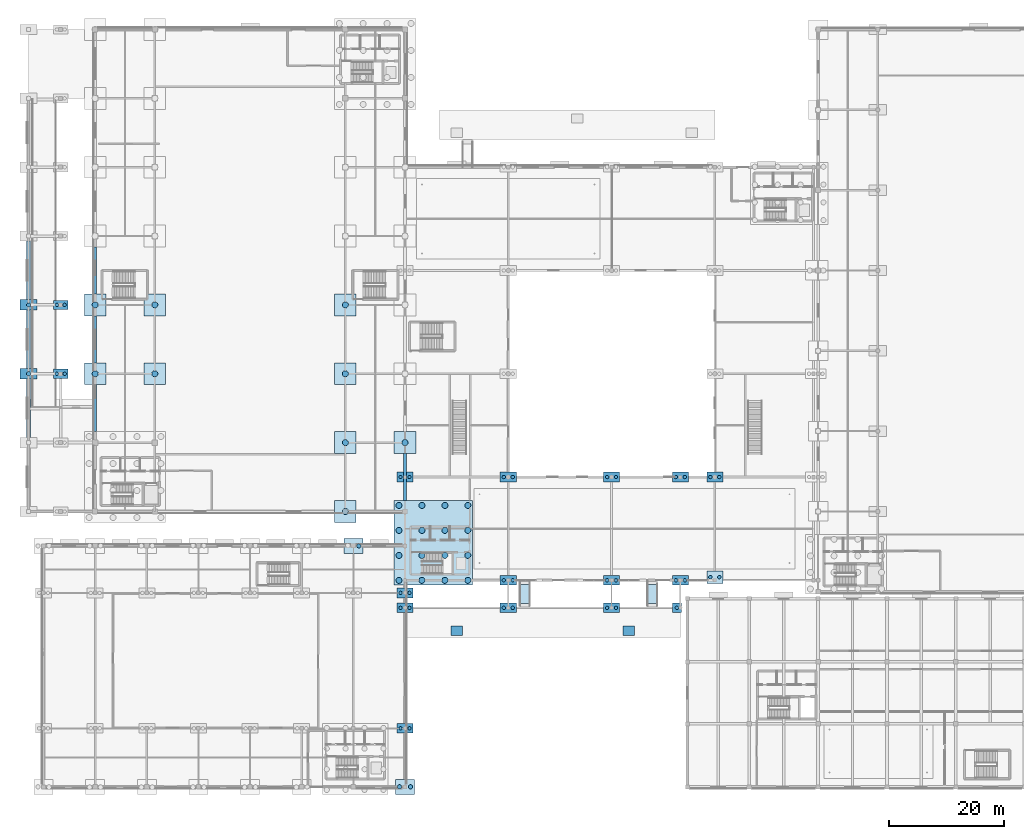
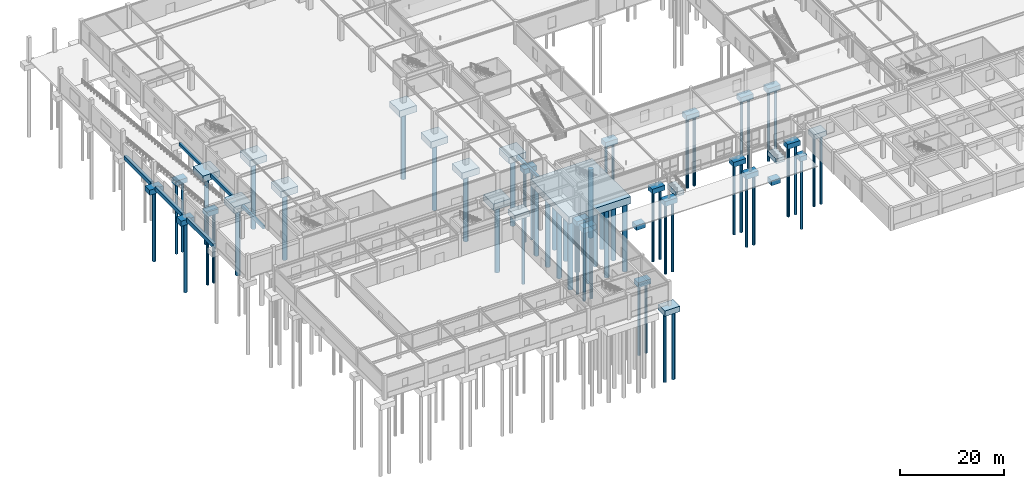
# One storey, part 2 of 53: 63 piles, 42 footings.
"""IFC4 building model written with IfcOpenShell, lengths in metres."""

import ifcopenshell
import ifcopenshell.guid

model = None  # the IFC model being written
_history = None  # IfcOwnerHistory: only IFC2X3 demands one
_inside = {}  # id of a spatial element -> (the spatial element, [elements in it])
_under = {}  # id of a project, library or spatial element -> (it, [spatial elements below it])
_declared = {}  # id of a project -> (the project, [libraries it declares])
_typed = {}  # id of a type object -> (the type object, [elements of that type])
_made_of = {}  # id of a material, layer set ... -> (it, [elements and type objects made of it])


def new_model(schema):
    """Start an empty IFC model of exactly this schema.

    Asked for "IFC4X3", IfcOpenShell would pick the latest addendum, in which some entities
    have other attributes; the version numbers below select the first issue.
    IFC2X3 requires an IfcOwnerHistory on every rooted entity: one is made here for all.
    """
    global model, _history
    if schema == "IFC4X3":
        model = ifcopenshell.file(schema_version=(4, 3, 0, 0))
    else:
        model = ifcopenshell.file(schema=schema)
    _inside.clear()
    _under.clear()
    _declared.clear()
    _typed.clear()
    _made_of.clear()
    _history = None
    if model.schema == "IFC2X3":
        org = make("IfcOrganization", Name="unknown")
        user = make(
            "IfcPersonAndOrganization",
            ThePerson=make("IfcPerson", FamilyName="unknown"),
            TheOrganization=org,
        )
        app = make(
            "IfcApplication",
            ApplicationDeveloper=org,
            Version="unknown",
            ApplicationFullName="unknown",
            ApplicationIdentifier="unknown",
        )
        _history = make(
            "IfcOwnerHistory",
            OwningUser=user,
            OwningApplication=app,
            ChangeAction="ADDED",
            CreationDate=0,
        )
    return model


def make(cls, **values):
    """One entity of the class cls with the attributes given. An attribute that is None is left unset."""
    return model.create_entity(
        cls, **{name: value for name, value in values.items() if value is not None}
    )


def rooted(cls, **values):
    """An entity with a GlobalId (a new one), such as an element, a storey or a relation."""
    return make(cls, GlobalId=ifcopenshell.guid.new(), OwnerHistory=_history, **values)


def si_unit(unit_type, name, prefix=None):
    """IfcSIUnit, for example si_unit("LENGTHUNIT", "METRE", prefix="MILLI")."""
    return make("IfcSIUnit", UnitType=unit_type, Prefix=prefix, Name=name)


def derived_unit(unit_type, elements):
    """IfcDerivedUnit: a product of units, each with its exponent."""
    return make(
        "IfcDerivedUnit",
        Elements=[
            make("IfcDerivedUnitElement", Unit=unit, Exponent=power)
            for unit, power in elements
        ],
        UnitType=unit_type,
    )


def assignment(units):
    """IfcUnitAssignment: the units of a project."""
    return None if units is None else make("IfcUnitAssignment", Units=units)


def point(xyz):
    """IfcCartesianPoint."""
    return None if xyz is None else make("IfcCartesianPoint", Coordinates=xyz)


def direction(xyz):
    """IfcDirection."""
    return None if xyz is None else make("IfcDirection", DirectionRatios=xyz)


def frame(location, z_axis=None, x_axis=None):
    """IfcAxis2Placement3D, a coordinate frame: its origin and axes. An axis left out is left unset."""
    return make(
        "IfcAxis2Placement3D",
        Location=point(location),
        Axis=direction(z_axis),
        RefDirection=direction(x_axis),
    )


def frame_2d(location, x_axis=None):
    """IfcAxis2Placement2D, a coordinate frame in the plane: its origin and x axis."""
    return make(
        "IfcAxis2Placement2D", Location=point(location), RefDirection=direction(x_axis)
    )


def origin():
    """The frame at (0, 0, 0) with its axes left unset."""
    return frame((0.0, 0.0, 0.0))


def origin_2d():
    """The frame at (0, 0) in the plane with its x axis left unset."""
    return frame_2d((0.0, 0.0))


def place(relative_to, where):
    """IfcLocalPlacement: puts the frame where relative to a parent placement (None: the world)."""
    return make(
        "IfcLocalPlacement", PlacementRelTo=relative_to, RelativePlacement=where
    )


def context(
    kind, dimensions, precision=None, world=None, true_north=None, identifier=None
):
    """IfcGeometricRepresentationContext, for example the 3D "Model" context."""
    return make(
        "IfcGeometricRepresentationContext",
        ContextIdentifier=identifier,
        ContextType=kind,
        CoordinateSpaceDimension=dimensions,
        Precision=precision,
        WorldCoordinateSystem=world,
        TrueNorth=true_north,
    )


def subcontext(parent, identifier, kind, view, scale=None):
    """IfcGeometricRepresentationSubContext, for example "Body" below "Model"."""
    return make(
        "IfcGeometricRepresentationSubContext",
        ContextIdentifier=identifier,
        ContextType=kind,
        ParentContext=parent,
        TargetScale=scale,
        TargetView=view,
    )


def project(units=None, contexts=None):
    """IfcProject with its units and contexts."""
    return rooted(
        "IfcProject",
        Name="project",
        RepresentationContexts=contexts,
        UnitsInContext=assignment(units),
    )


def spatial(cls, under=None, at=None, **own):
    """A site, building, storey or space (cls), placed at a placement, below another one or the project."""
    s = rooted(cls, ObjectPlacement=at, **own)
    if under is not None:
        _under.setdefault(under.id(), (under, []))[1].append(s)
    return s


def polyline(points):
    """IfcPolyline through the points."""
    return make("IfcPolyline", Points=[point(p) for p in points])


def profile(cls, at=None, kind="AREA", **sizes):
    """A parametric profile (cls). Its sizes go by their IFC names, for example OverallWidth=200.0."""
    return make(cls, ProfileType=kind, Position=at, **sizes)


def rectangle(**sizes):
    """IfcRectangleProfileDef."""
    return profile("IfcRectangleProfileDef", **sizes)


def circle(**sizes):
    """IfcCircleProfileDef."""
    return profile("IfcCircleProfileDef", **sizes)


def outline(outer, holes=None, kind="AREA"):
    """IfcArbitraryClosedProfileDef: a profile drawn as a closed curve; with holes, ...WithVoids."""
    if holes is None:
        return make("IfcArbitraryClosedProfileDef", ProfileType=kind, OuterCurve=outer)
    return make(
        "IfcArbitraryProfileDefWithVoids",
        ProfileType=kind,
        OuterCurve=outer,
        InnerCurves=holes,
    )


def extrude(swept, where, along, depth):
    """IfcExtrudedAreaSolid: the profile swept, set in the frame where, extruded along a direction by depth."""
    return make(
        "IfcExtrudedAreaSolid",
        SweptArea=swept,
        Position=where,
        ExtrudedDirection=direction(along),
        Depth=depth,
    )


def shape(context_of_items, identifier, shape_type, items):
    """IfcShapeRepresentation: the items that make up one representation, for example the "Body"."""
    return make(
        "IfcShapeRepresentation",
        ContextOfItems=context_of_items,
        RepresentationIdentifier=identifier,
        RepresentationType=shape_type,
        Items=items,
    )


def material(Name=None, Category=None):
    """IfcMaterial."""
    return make("IfcMaterial", Name=Name, Category=Category)


def layer(
    of_material, thickness, ventilated=None, Name=None, Category=None, Priority=None
):
    """IfcMaterialLayer: one layer of a wall or slab, of a material (None: an air gap)."""
    return make(
        "IfcMaterialLayer",
        Material=of_material,
        LayerThickness=thickness,
        IsVentilated=ventilated,
        Name=Name,
        Category=Category,
        Priority=Priority,
    )


def layer_set(layers, Name=None):
    """IfcMaterialLayerSet."""
    return make("IfcMaterialLayerSet", MaterialLayers=layers, LayerSetName=Name)


def material_profile(
    of_material, cross_section, Name=None, Category=None, Priority=None
):
    """IfcMaterialProfile: a cross section and its material."""
    return make(
        "IfcMaterialProfile",
        Name=Name,
        Material=of_material,
        Profile=cross_section,
        Priority=Priority,
        Category=Category,
    )


def profile_set(profiles, Name=None, composite=None):
    """IfcMaterialProfileSet."""
    return make(
        "IfcMaterialProfileSet",
        Name=Name,
        MaterialProfiles=profiles,
        CompositeProfile=composite,
    )


def made_of(thing, what):
    """Note that an element or type object is made of a material, layer set ...; save() writes the relation."""
    if what is not None:
        _made_of.setdefault(what.id(), (what, []))[1].append(thing)
    return thing


def type_object(cls, material=None, **own):
    """A type object (cls), such as IfcWallType, which elements share."""
    return made_of(rooted(cls, **own), material)


def element(
    cls,
    number,
    at=None,
    inside=None,
    cuts=None,
    type_object=None,
    material=None,
    context=None,
    identifier="Body",
    shape_type=None,
    held_by="IfcProductDefinitionShape",
    body=None,
    shapes=None,
    **own,
):
    """One element of the class cls, such as IfcWall. Its Tag is "e" and its number.

    at: its placement. inside: the storey or other place that contains it. cuts: it is an
    opening in that element (IfcRelVoidsElement). A single representation is given by context,
    identifier, shape_type and body (its items); several are given by shapes. held_by: the class
    of the entity that holds the representations. save() writes the other relations.
    """
    e = rooted(cls, Tag="e%d" % number, ObjectPlacement=at, **own)
    if body is not None:
        shapes = [shape(context, identifier, shape_type, body)]
    if shapes is not None:
        e.Representation = make(held_by, Representations=shapes)
    if inside is not None:
        _inside.setdefault(inside.id(), (inside, []))[1].append(e)
    if cuts is not None:
        rooted(
            "IfcRelVoidsElement", RelatingBuildingElement=cuts, RelatedOpeningElement=e
        )
    if type_object is not None:
        _typed.setdefault(type_object.id(), (type_object, []))[1].append(e)
    return made_of(e, material)


def aggregate(whole, parts):
    """IfcRelAggregates: a whole, such as a stair, and the parts it consists of."""
    return rooted("IfcRelAggregates", RelatingObject=whole, RelatedObjects=parts)


def save(model, path):
    """Write the relations noted so far, then the file.

    IfcRelAggregates (storeys below a building ...), IfcRelContainedInSpatialStructure (elements
    in a storey), IfcRelDefinesByType, IfcRelAssociatesMaterial and IfcRelDeclares: one each for
    every whole, place, type object, material and project.
    """
    for whole, parts in _under.values():
        aggregate(whole, parts)
    for where, things in _inside.values():
        rooted(
            "IfcRelContainedInSpatialStructure",
            RelatedElements=things,
            RelatingStructure=where,
        )
    for kind, things in _typed.values():
        rooted("IfcRelDefinesByType", RelatedObjects=things, RelatingType=kind)
    for what, things in _made_of.values():
        rooted("IfcRelAssociatesMaterial", RelatedObjects=things, RelatingMaterial=what)
    for by, libraries in _declared.values():
        rooted("IfcRelDeclares", RelatingContext=by, RelatedDefinitions=libraries)
    model.write(path)


model = new_model("IFC4")

# Units and contexts
model_context = context("Model", 3, precision=1e-05, world=origin(), true_north=direction((0.0, 1.0)))
body_context = subcontext(model_context, "Body", "Model", "MODEL_VIEW")
ifc_project = project(units=[si_unit("LENGTHUNIT", "METRE"), si_unit("AREAUNIT", "SQUARE_METRE"), si_unit("VOLUMEUNIT", "CUBIC_METRE"), si_unit("PLANEANGLEUNIT", "RADIAN"), si_unit("MASSUNIT", "GRAM", prefix="KILO"), derived_unit("THERMALTRANSMITTANCEUNIT", [(si_unit("POWERUNIT", "WATT"), 1), (si_unit("LENGTHUNIT", "METRE"), -2), (si_unit("THERMODYNAMICTEMPERATUREUNIT", "KELVIN"), -1)])], contexts=[model_context])

# Site, building, storey
site_placement = place(None, origin())
site = spatial("IfcSite", under=ifc_project, at=site_placement, CompositionType="ELEMENT")
building_placement = place(site_placement, origin())
building = spatial("IfcBuilding", under=site, at=building_placement, Name="Almenara Railside Exhibition Hall", CompositionType="ELEMENT")
storey_placement = place(building_placement, origin())
storey = spatial("IfcBuildingStorey", under=building, at=storey_placement, Name="L00", CompositionType="ELEMENT", Elevation=0.0)

# Footings
ifc_material_1 = material(Name="Concrete C40/50", Category="concrete")
ifc_layer_1 = layer(ifc_material_1, 1.14990234375, Name="Concrete C40/50")
ifc_layer_set_1 = layer_set([ifc_layer_1], Name="Concrete C40/50")
footing_type_1 = type_object("IfcFootingType", Name="Arcade Two-Pile Cap 2800x1700x1150 C40/50", PredefinedType="PILE_CAP", material=ifc_layer_set_1)
footing_1_placement = place(storey_placement, frame((0.0, 0.0, -1.590087890625)))
element("IfcFooting", 1, at=footing_1_placement, inside=storey, type_object=footing_type_1, Name="Pile cap PC-2A-088", PredefinedType="PILE_CAP", context=body_context, shape_type="SweptSolid", body=[
    extrude(outline(polyline([(64.60009765625, 9.35009765625), (67.39990234375, 9.35009765625), (67.39990234375, 11.050048828125), (64.60009765625, 11.050048828125), (64.60009765625, 9.35009765625)])), origin(), (0.0, 0.0, 1.0), 1.150146484375),
])
footing_2_placement = place(storey_placement, frame((0.0, 0.0, -1.590087890625)))
element("IfcFooting", 2, at=footing_2_placement, inside=storey, type_object=footing_type_1, Name="Pile cap PC-2A-089", PredefinedType="PILE_CAP", context=body_context, shape_type="SweptSolid", body=[
    extrude(outline(polyline([(64.60009765625, 32.949951171875), (67.39990234375, 32.949951171875), (67.39990234375, 34.64990234375), (64.60009765625, 34.64990234375), (64.60009765625, 32.949951171875)])), origin(), (0.0, 0.0, 1.0), 1.150146484375),
])
footing_3_placement = place(storey_placement, frame((0.0, 0.0, -1.590087890625)))
element("IfcFooting", 3, at=footing_3_placement, inside=storey, type_object=footing_type_1, Name="Pile cap PC-2A-090", PredefinedType="PILE_CAP", context=body_context, shape_type="SweptSolid", body=[
    extrude(outline(polyline([(64.60009765625, 53.14990234375), (67.39990234375, 53.14990234375), (67.39990234375, 54.85009765625), (64.60009765625, 54.85009765625), (64.60009765625, 53.14990234375)])), origin(), (0.0, 0.0, 1.0), 1.150146484375),
])
footing_4_placement = place(storey_placement, frame((0.0, 0.0, -1.590087890625)))
element("IfcFooting", 4, at=footing_4_placement, inside=storey, type_object=footing_type_1, Name="Pile cap PC-2A-092", PredefinedType="PILE_CAP", context=body_context, shape_type="SweptSolid", body=[
    extrude(outline(polyline([(82.60009765625, 35.14990234375), (85.39990234375, 35.14990234375), (85.39990234375, 36.85009765625), (82.60009765625, 36.85009765625), (82.60009765625, 35.14990234375)])), origin(), (0.0, 0.0, 1.0), 1.150146484375),
])
footing_5_placement = place(storey_placement, frame((0.0, 0.0, -1.590087890625)))
element("IfcFooting", 5, at=footing_5_placement, inside=storey, type_object=footing_type_1, Name="Pile cap PC-2A-093", PredefinedType="PILE_CAP", context=body_context, shape_type="SweptSolid", body=[
    extrude(outline(polyline([(82.60009765625, 53.14990234375), (85.39990234375, 53.14990234375), (85.39990234375, 54.85009765625), (82.60009765625, 54.85009765625), (82.60009765625, 53.14990234375)])), origin(), (0.0, 0.0, 1.0), 1.150146484375),
])
footing_6_placement = place(storey_placement, frame((0.0, 0.0, -1.590087890625)))
element("IfcFooting", 6, at=footing_6_placement, inside=storey, type_object=footing_type_1, Name="Pile cap PC-2A-097", PredefinedType="PILE_CAP", context=body_context, shape_type="SweptSolid", body=[
    extrude(outline(polyline([(100.60009765625, 35.14990234375), (103.39990234375, 35.14990234375), (103.39990234375, 36.85009765625), (100.60009765625, 36.85009765625), (100.60009765625, 35.14990234375)])), origin(), (0.0, 0.0, 1.0), 1.150146484375),
])
footing_7_placement = place(storey_placement, frame((0.0, 0.0, -1.590087890625)))
element("IfcFooting", 7, at=footing_7_placement, inside=storey, type_object=footing_type_1, Name="Pile cap PC-2A-098", PredefinedType="PILE_CAP", context=body_context, shape_type="SweptSolid", body=[
    extrude(outline(polyline([(100.60009765625, 53.14990234375), (103.39990234375, 53.14990234375), (103.39990234375, 54.85009765625), (100.60009765625, 54.85009765625), (100.60009765625, 53.14990234375)])), origin(), (0.0, 0.0, 1.0), 1.150146484375),
])
footing_8_placement = place(storey_placement, frame((0.0, 0.0, -1.590087890625)))
element("IfcFooting", 8, at=footing_8_placement, inside=storey, type_object=footing_type_1, Name="Pile cap PC-2A-101", PredefinedType="PILE_CAP", context=body_context, shape_type="SweptSolid", body=[
    extrude(outline(polyline([(118.60009765625, 35.449951171875), (121.39990234375, 35.449951171875), (121.39990234375, 37.64990234375), (118.60009765625, 37.64990234375), (118.60009765625, 35.449951171875)])), origin(), (0.0, 0.0, 1.0), 1.150146484375),
])
footing_9_placement = place(storey_placement, frame((0.0, 0.0, -1.590087890625)))
element("IfcFooting", 9, at=footing_9_placement, inside=storey, type_object=footing_type_1, Name="Pile cap PC-2A-102", PredefinedType="PILE_CAP", context=body_context, shape_type="SweptSolid", body=[
    extrude(outline(polyline([(118.60009765625, 53.14990234375), (121.39990234375, 53.14990234375), (121.39990234375, 54.85009765625), (118.60009765625, 54.85009765625), (118.60009765625, 53.14990234375)])), origin(), (0.0, 0.0, 1.0), 1.150146484375),
])
footing_10_placement = place(storey_placement, frame((0.0, 0.0, -1.590087890625)))
element("IfcFooting", 10, at=footing_10_placement, inside=storey, type_object=footing_type_1, Name="Pile cap PC-2A-160", PredefinedType="PILE_CAP", context=body_context, shape_type="SweptSolid", body=[
    extrude(outline(polyline([(112.60009765625, 35.14990234375), (115.39990234375, 35.14990234375), (115.39990234375, 36.85009765625), (112.60009765625, 36.85009765625), (112.60009765625, 35.14990234375)])), origin(), (0.0, 0.0, 1.0), 1.150146484375),
])
footing_11_placement = place(storey_placement, frame((0.0, 0.0, -1.590087890625)))
element("IfcFooting", 11, at=footing_11_placement, inside=storey, type_object=footing_type_1, Name="Pile cap PC-2A-161", PredefinedType="PILE_CAP", context=body_context, shape_type="SweptSolid", body=[
    extrude(outline(polyline([(112.60009765625, 53.14990234375), (115.39990234375, 53.14990234375), (115.39990234375, 54.85009765625), (112.60009765625, 54.85009765625), (112.60009765625, 53.14990234375)])), origin(), (0.0, 0.0, 1.0), 1.150146484375),
])
footing_12_placement = place(storey_placement, frame((0.0, 0.0, -1.590087890625)))
element("IfcFooting", 12, at=footing_12_placement, inside=storey, type_object=footing_type_1, Name="Pile cap PC-2A-162", PredefinedType="PILE_CAP", context=body_context, shape_type="SweptSolid", body=[
    extrude(outline(polyline([(64.60009765625, 30.35009765625), (67.39990234375, 30.35009765625), (67.39990234375, 32.050048828125), (64.60009765625, 32.050048828125), (64.60009765625, 30.35009765625)])), origin(), (0.0, 0.0, 1.0), 1.150146484375),
])
footing_13_placement = place(storey_placement, frame((0.0, 0.0, -1.590087890625)))
element("IfcFooting", 13, at=footing_13_placement, inside=storey, type_object=footing_type_1, Name="Pile cap PC-2A-163", PredefinedType="PILE_CAP", context=body_context, shape_type="SweptSolid", body=[
    extrude(outline(polyline([(82.60009765625, 30.35009765625), (85.39990234375, 30.35009765625), (85.39990234375, 32.050048828125), (82.60009765625, 32.050048828125), (82.60009765625, 30.35009765625)])), origin(), (0.0, 0.0, 1.0), 1.150146484375),
])
footing_14_placement = place(storey_placement, frame((0.0, 0.0, -1.590087890625)))
element("IfcFooting", 14, at=footing_14_placement, inside=storey, type_object=footing_type_1, Name="Pile cap PC-2A-164", PredefinedType="PILE_CAP", context=body_context, shape_type="SweptSolid", body=[
    extrude(outline(polyline([(100.60009765625, 30.35009765625), (103.39990234375, 30.35009765625), (103.39990234375, 32.050048828125), (100.60009765625, 32.050048828125), (100.60009765625, 30.35009765625)])), origin(), (0.0, 0.0, 1.0), 1.150146484375),
])
footing_15_placement = place(storey_placement, frame((0.0, 0.0, -1.590087890625)))
element("IfcFooting", 15, at=footing_15_placement, inside=storey, type_object=footing_type_1, Name="Pile cap PC-2A-165", PredefinedType="PILE_CAP", context=body_context, shape_type="SweptSolid", body=[
    extrude(outline(polyline([(112.60009765625, 30.35009765625), (114.14990234375, 30.35009765625), (114.14990234375, 32.050048828125), (112.60009765625, 32.050048828125), (112.60009765625, 30.35009765625)])), origin(), (0.0, 0.0, 1.0), 1.150146484375),
])
footing_16_placement = place(storey_placement, frame((0.0, 0.0, -1.77490234375)))
element("IfcFooting", 16, at=footing_16_placement, inside=storey, type_object=footing_type_1, Name="FCAP-NTER-75-27", PredefinedType="PILE_CAP", context=body_context, shape_type="SweptSolid", body=[
    extrude(outline(polyline([(74.0, 26.39990234375), (76.0, 26.39990234375), (76.0, 28.0), (74.0, 28.0), (74.0, 26.39990234375)])), origin(), (0.0, 0.0, 1.0), 1.14990234375),
])
footing_17_placement = place(storey_placement, frame((0.0, 0.0, -1.77490234375)))
element("IfcFooting", 17, at=footing_17_placement, inside=storey, type_object=footing_type_1, Name="FCAP-NTER-105-27", PredefinedType="PILE_CAP", context=body_context, shape_type="SweptSolid", body=[
    extrude(outline(polyline([(104.0, 26.39990234375), (106.0, 26.39990234375), (106.0, 28.0), (104.0, 28.0), (104.0, 26.39990234375)])), origin(), (0.0, 0.0, 1.0), 1.14990234375),
])

# Piles
ifc_material_profile_1 = material_profile(ifc_material_1, circle(Radius=0.52490234375, at=origin_2d()), Name="CFA-PILE D1050")
ifc_profile_set_1 = profile_set([ifc_material_profile_1], Name="Concrete C40/50")
pile_type_1 = type_object("IfcPileType", Name="CFA Bored Pile D1050 C40/50", PredefinedType="BORED", material=ifc_profile_set_1)
for number, where, z_axis, x_axis, name in (
    (18, (64.945068359375, 35.9951171875, -1.989990234375), (0.0, 0.0, -1.0), (1.0, 0.0, 0.0), "Bored pile 0049"),
    (19, (64.945068359375, 40.347900390625, -1.989990234375), (0.0, 0.0, -1.0), (1.0, 0.0, 0.0), "Bored pile 0050"),
    (20, (64.945068359375, 44.701904296875, -1.989990234375), (0.0, 0.0, -1.0), (1.0, 0.0, 0.0), "Bored pile 0051"),
    (21, (64.945068359375, 49.054931640625, -1.989990234375), (0.0, 0.0, -1.0), (1.0, 0.0, 0.0), "Bored pile 0052"),
    (22, (68.947998046875, 35.9951171875, -1.989990234375), (0.0, 0.0, -1.0), (1.0, 0.0, 0.0), "Bored pile 0053"),
    (23, (68.947998046875, 40.347900390625, -1.989990234375), (0.0, 0.0, -1.0), (1.0, 0.0, 0.0), "Bored pile 0054"),
    (24, (68.947998046875, 44.701904296875, -1.989990234375), (0.0, 0.0, -1.0), (1.0, 0.0, 0.0), "Bored pile 0055"),
    (25, (68.947998046875, 49.054931640625, -1.989990234375), (0.0, 0.0, -1.0), (1.0, 0.0, 0.0), "Bored pile 0056"),
    (26, (72.951904296875, 35.9951171875, -1.989990234375), (0.0, 0.0, -1.0), (1.0, 0.0, 0.0), "Bored pile 0057"),
    (27, (72.951904296875, 40.347900390625, -1.989990234375), (0.0, 0.0, -1.0), (1.0, 0.0, 0.0), "Bored pile 0058"),
    (28, (72.951904296875, 44.701904296875, -1.989990234375), (0.0, 0.0, -1.0), (1.0, 0.0, 0.0), "Bored pile 0059"),
    (29, (72.951904296875, 49.054931640625, -1.989990234375), (0.0, 0.0, -1.0), (1.0, 0.0, 0.0), "Bored pile 0060"),
    (30, (76.955078125, 35.9951171875, -1.989990234375), (0.0, 0.0, -1.0), (1.0, 0.0, 0.0), "Bored pile 0061"),
    (31, (76.955078125, 40.347900390625, -1.989990234375), (0.0, 0.0, -1.0), (1.0, 0.0, 0.0), "Bored pile 0062"),
    (32, (76.955078125, 44.701904296875, -1.989990234375), (0.0, 0.0, -1.0), (1.0, 0.0, 0.0), "Bored pile 0063"),
    (33, (76.955078125, 49.054931640625, -1.989990234375), (0.0, 0.0, -1.0), (1.0, 0.0, 0.0), "Bored pile 0064"),
):
    element("IfcPile", number, at=place(storey_placement, frame(where, z_axis=z_axis, x_axis=x_axis)), inside=storey, type_object=pile_type_1, Name=name, PredefinedType="BORED", context=body_context, shape_type="SweptSolid", body=[
        extrude(circle(Radius=0.52490234375, at=origin_2d()), origin(), (0.0, 0.0, 1.0), 16.010009765625),
    ])
for number, where, z_axis, x_axis, name in (
    (34, (55.60009765625, 48.0, -1.840087890625), (0.0, 0.0, -1.0), (1.0, 0.0, 0.0), "Bored pile 0145"),
    (35, (66.0, 60.0, -1.840087890625), (0.0, 0.0, -1.0), (1.0, 0.0, 0.0), "Bored pile 0146"),
    (36, (55.60009765625, 60.0, -1.840087890625), (0.0, 0.0, -1.0), (1.0, 0.0, 0.0), "Bored pile 0147"),
    (37, (12.0, 72.0, -1.840087890625), (0.0, 0.0, -1.0), (1.0, 0.0, 0.0), "Bored pile 0148"),
    (38, (22.39990234375, 72.0, -1.840087890625), (0.0, 0.0, -1.0), (1.0, 0.0, 0.0), "Bored pile 0150"),
    (39, (55.60009765625, 72.0, -1.840087890625), (0.0, 0.0, -1.0), (1.0, 0.0, 0.0), "Bored pile 0151"),
    (40, (12.0, 84.0, -1.840087890625), (0.0, 0.0, -1.0), (1.0, 0.0, 0.0), "Bored pile 0152"),
    (41, (22.39990234375, 84.0, -1.840087890625), (0.0, 0.0, -1.0), (1.0, 0.0, 0.0), "Bored pile 0154"),
    (42, (55.60009765625, 84.0, -1.840087890625), (0.0, 0.0, -1.0), (1.0, 0.0, 0.0), "Bored pile 0155"),
):
    element("IfcPile", number, at=place(storey_placement, frame(where, z_axis=z_axis, x_axis=x_axis)), inside=storey, type_object=pile_type_1, Name=name, PredefinedType="BORED", context=body_context, shape_type="SweptSolid", body=[
        extrude(circle(Radius=0.52490234375, at=origin_2d()), origin(), (0.0, 0.0, 1.0), 16.159912109375),
    ])
ifc_material_profile_2 = material_profile(ifc_material_1, circle(Radius=0.300048828125, at=origin_2d()), Name="CFA-PILE D600")
ifc_profile_set_2 = profile_set([ifc_material_profile_2], Name="Concrete C40/50")
pile_type_2 = type_object("IfcPileType", Name="CFA Bored Pile D600 C40/50", PredefinedType="BORED", material=ifc_profile_set_2)
for number, where, z_axis, x_axis, name in (
    (43, (65.219970703125, 10.199951171875, -1.489990234375), (0.0, 0.0, -1.0), (1.0, 0.0, 0.0), "Bored pile 0257"),
    (44, (66.780029296875, 10.199951171875, -1.489990234375), (0.0, 0.0, -1.0), (1.0, 0.0, 0.0), "Bored pile 0258"),
    (45, (65.219970703125, 33.800048828125, -1.489990234375), (0.0, 0.0, -1.0), (1.0, 0.0, 0.0), "Bored pile 0259"),
    (46, (66.780029296875, 33.800048828125, -1.489990234375), (0.0, 0.0, -1.0), (1.0, 0.0, 0.0), "Bored pile 0260"),
    (47, (65.219970703125, 54.0, -1.489990234375), (0.0, 0.0, -1.0), (1.0, 0.0, 0.0), "Bored pile 0261"),
    (48, (66.780029296875, 54.0, -1.489990234375), (0.0, 0.0, -1.0), (1.0, 0.0, 0.0), "Bored pile 0262"),
    (49, (83.219970703125, 36.0, -1.489990234375), (0.0, 0.0, -1.0), (1.0, 0.0, 0.0), "Bored pile 0265"),
    (50, (84.780029296875, 36.0, -1.489990234375), (0.0, 0.0, -1.0), (1.0, 0.0, 0.0), "Bored pile 0266"),
    (51, (83.219970703125, 54.0, -1.489990234375), (0.0, 0.0, -1.0), (1.0, 0.0, 0.0), "Bored pile 0267"),
    (52, (84.780029296875, 54.0, -1.489990234375), (0.0, 0.0, -1.0), (1.0, 0.0, 0.0), "Bored pile 0268"),
    (53, (101.219970703125, 36.0, -1.489990234375), (0.0, 0.0, -1.0), (1.0, 0.0, 0.0), "Bored pile 0275"),
    (54, (102.780029296875, 36.0, -1.489990234375), (0.0, 0.0, -1.0), (1.0, 0.0, 0.0), "Bored pile 0276"),
    (55, (101.219970703125, 54.0, -1.489990234375), (0.0, 0.0, -1.0), (1.0, 0.0, 0.0), "Bored pile 0277"),
    (56, (102.780029296875, 54.0, -1.489990234375), (0.0, 0.0, -1.0), (1.0, 0.0, 0.0), "Bored pile 0278"),
    (57, (119.219970703125, 36.550048828125, -1.489990234375), (0.0, 0.0, -1.0), (1.0, 0.0, 0.0), "Bored pile 0283"),
    (58, (120.780029296875, 36.550048828125, -1.489990234375), (0.0, 0.0, -1.0), (1.0, 0.0, 0.0), "Bored pile 0284"),
    (59, (119.219970703125, 54.0, -1.489990234375), (0.0, 0.0, -1.0), (1.0, 0.0, 0.0), "Bored pile 0285"),
    (60, (120.780029296875, 54.0, -1.489990234375), (0.0, 0.0, -1.0), (1.0, 0.0, 0.0), "Bored pile 0286"),
):
    element("IfcPile", number, at=place(storey_placement, frame(where, z_axis=z_axis, x_axis=x_axis)), inside=storey, type_object=pile_type_2, Name=name, PredefinedType="BORED", context=body_context, shape_type="SweptSolid", body=[
        extrude(circle(Radius=0.300048828125, at=origin_2d()), origin(), (0.0, 0.0, 1.0), 16.510009765625),
    ])
for number, where, z_axis, x_axis, name in (
    (61, (5.320068359375, 72.0, -1.43994140625), (0.0, 0.0, -1.0), (1.0, 0.0, 0.0), "Bored pile 0304"),
    (62, (6.679931640625, 72.0, -1.43994140625), (0.0, 0.0, -1.0), (1.0, 0.0, 0.0), "Bored pile 0305"),
    (63, (5.320068359375, 84.0, -1.43994140625), (0.0, 0.0, -1.0), (1.0, 0.0, 0.0), "Bored pile 0307"),
    (64, (6.679931640625, 84.0, -1.43994140625), (0.0, 0.0, -1.0), (1.0, 0.0, 0.0), "Bored pile 0308"),
):
    element("IfcPile", number, at=place(storey_placement, frame(where, z_axis=z_axis, x_axis=x_axis)), inside=storey, type_object=pile_type_2, Name=name, PredefinedType="BORED", context=body_context, shape_type="SweptSolid", body=[
        extrude(circle(Radius=0.300048828125, at=origin_2d()), origin(), (0.0, 0.0, 1.0), 16.56005859375),
    ])
for number, where, z_axis, x_axis, name in (
    (65, (113.219970703125, 36.0, -1.489990234375), (0.0, 0.0, -1.0), (1.0, 0.0, 0.0), "Bored pile 0422"),
    (66, (114.780029296875, 36.0, -1.489990234375), (0.0, 0.0, -1.0), (1.0, 0.0, 0.0), "Bored pile 0423"),
    (67, (113.219970703125, 54.0, -1.489990234375), (0.0, 0.0, -1.0), (1.0, 0.0, 0.0), "Bored pile 0424"),
    (68, (114.780029296875, 54.0, -1.489990234375), (0.0, 0.0, -1.0), (1.0, 0.0, 0.0), "Bored pile 0425"),
    (69, (65.219970703125, 31.199951171875, -1.489990234375), (0.0, 0.0, -1.0), (1.0, 0.0, 0.0), "Bored pile 0426"),
    (70, (66.780029296875, 31.199951171875, -1.489990234375), (0.0, 0.0, -1.0), (1.0, 0.0, 0.0), "Bored pile 0427"),
    (71, (83.219970703125, 31.199951171875, -1.489990234375), (0.0, 0.0, -1.0), (1.0, 0.0, 0.0), "Bored pile 0428"),
    (72, (84.780029296875, 31.199951171875, -1.489990234375), (0.0, 0.0, -1.0), (1.0, 0.0, 0.0), "Bored pile 0429"),
    (73, (101.219970703125, 31.199951171875, -1.489990234375), (0.0, 0.0, -1.0), (1.0, 0.0, 0.0), "Bored pile 0430"),
    (74, (102.780029296875, 31.199951171875, -1.489990234375), (0.0, 0.0, -1.0), (1.0, 0.0, 0.0), "Bored pile 0431"),
    (75, (113.375, 31.199951171875, -1.489990234375), (0.0, 0.0, -1.0), (1.0, 0.0, 0.0), "Bored pile 0432"),
):
    element("IfcPile", number, at=place(storey_placement, frame(where, z_axis=z_axis, x_axis=x_axis)), inside=storey, type_object=pile_type_2, Name=name, PredefinedType="BORED", context=body_context, shape_type="SweptSolid", body=[
        extrude(circle(Radius=0.300048828125, at=origin_2d()), origin(), (0.0, 0.0, 1.0), 16.510009765625),
    ])
ifc_material_profile_3 = material_profile(ifc_material_1, circle(Radius=0.375, at=origin_2d()), Name="CFA-PILE D750")
ifc_profile_set_3 = profile_set([ifc_material_profile_3], Name="Concrete C40/50")
pile_type_3 = type_object("IfcPileType", Name="CFA Bored Pile D750 C40/50", PredefinedType="BORED", material=ifc_profile_set_3)
for number, where, z_axis, x_axis, name in (
    (76, (57.955078125, 42.0, -1.639892578125), (0.0, 0.0, -1.0), (1.0, 0.0, 0.0), "Bored pile 0252"),
    (77, (65.044921875, 0.0, -1.639892578125), (0.0, 0.0, -1.0), (1.0, 0.0, 0.0), "Bored pile 0255"),
    (78, (66.955078125, 0.0, -1.639892578125), (0.0, 0.0, -1.0), (1.0, 0.0, 0.0), "Bored pile 0256"),
):
    element("IfcPile", number, at=place(storey_placement, frame(where, z_axis=z_axis, x_axis=x_axis)), inside=storey, type_object=pile_type_3, Name=name, PredefinedType="BORED", context=body_context, shape_type="SweptSolid", body=[
        extrude(circle(Radius=0.375, at=origin_2d()), origin(), (0.0, 0.0, 1.0), 16.360107421875),
    ])
for number, where, z_axis, x_axis, name in (
    (79, (0.39990234375, 72.0, -1.5400390625), (0.0, 0.0, -1.0), (1.0, 0.0, 0.0), "Bored pile 0303"),
    (80, (0.39990234375, 84.0, -1.5400390625), (0.0, 0.0, -1.0), (1.0, 0.0, 0.0), "Bored pile 0306"),
):
    element("IfcPile", number, at=place(storey_placement, frame(where, z_axis=z_axis, x_axis=x_axis)), inside=storey, type_object=pile_type_3, Name=name, PredefinedType="BORED", context=body_context, shape_type="SweptSolid", body=[
        extrude(circle(Radius=0.375, at=origin_2d()), origin(), (0.0, 0.0, 1.0), 16.4599609375),
    ])

# Footings
ifc_layer_2 = layer(ifc_material_1, 1.64990234375, Name="Concrete C40/50")
ifc_layer_set_2 = layer_set([ifc_layer_2], Name="Concrete C40/50")
footing_type_2 = type_object("IfcFootingType", Name="Core Nine-Pile Raft Cap 10400x9600x1650 C40/50", PredefinedType="PILE_CAP", material=ifc_layer_set_2)
footing_18_placement = place(storey_placement, frame((0.0, 0.0, -2.090087890625)))
element("IfcFooting", 81, at=footing_18_placement, inside=storey, type_object=footing_type_2, Name="Pile cap PC-9A-004", PredefinedType="PILE_CAP", context=body_context, shape_type="SweptSolid", body=[
    extrude(outline(polyline([(64.10009765625, 35.14990234375), (77.800048828125, 35.14990234375), (77.800048828125, 49.89990234375), (64.10009765625, 49.89990234375), (64.10009765625, 35.14990234375)])), origin(), (0.0, 0.0, 1.0), 1.650146484375),
])
ifc_layer_3 = layer(ifc_material_1, 1.199951171875, Name="Concrete C40/50")
ifc_layer_set_3 = layer_set([ifc_layer_3], Name="Concrete C40/50")
footing_type_3 = type_object("IfcFootingType", Name="Gallery Two-Pile Cap 3000x1800x1200 C40/50", PredefinedType="PILE_CAP", material=ifc_layer_set_3)
footing_19_placement = place(storey_placement, frame((0.0, 0.0, -1.639892578125)))
element("IfcFooting", 82, at=footing_19_placement, inside=storey, type_object=footing_type_3, Name="Pile cap PC-2G-112", PredefinedType="PILE_CAP", context=body_context, shape_type="SweptSolid", body=[
    extrude(outline(polyline([(-1.10009765625, 71.10009765625), (1.89990234375, 71.10009765625), (1.89990234375, 72.89990234375), (-1.10009765625, 72.89990234375), (-1.10009765625, 71.10009765625)])), origin(), (0.0, 0.0, 1.0), 1.199951171875),
])
footing_20_placement = place(storey_placement, frame((0.0, 0.0, -1.639892578125)))
element("IfcFooting", 83, at=footing_20_placement, inside=storey, type_object=footing_type_3, Name="Pile cap PC-2G-114", PredefinedType="PILE_CAP", context=body_context, shape_type="SweptSolid", body=[
    extrude(outline(polyline([(-1.10009765625, 83.10009765625), (1.89990234375, 83.10009765625), (1.89990234375, 84.89990234375), (-1.10009765625, 84.89990234375), (-1.10009765625, 83.10009765625)])), origin(), (0.0, 0.0, 1.0), 1.199951171875),
])
ifc_material_2 = material(Name="Concrete C35/45", Category="concrete")
ifc_material_profile_4 = material_profile(ifc_material_2, rectangle(XDim=0.5, YDim=0.75, at=origin_2d()), Name="RC-GB 500x750")
ifc_profile_set_4 = profile_set([ifc_material_profile_4], Name="Concrete C35/45")
footing_type_4 = type_object("IfcFootingType", Name="Ground Tie Beam 500x750 C35/45", PredefinedType="FOOTING_BEAM", material=ifc_profile_set_4)
for number, where, z_axis, x_axis, name in (
    (84, (12.0, 61.902099609375, -0.81494140625), (0.0, 1.0, 0.0), (-1.0, 0.0, 0.0), "GB-L00-017"),
    (85, (12.0, 73.902099609375, -0.81494140625), (0.0, 1.0, 0.0), (-1.0, 0.0, 0.0), "GB-L00-018"),
    (86, (12.0, 85.902099609375, -0.81494140625), (0.0, 1.0, 0.0), (-1.0, 0.0, 0.0), "GB-L00-019"),
    (87, (66.0, 49.902099609375, -0.81494140625), (0.0, 1.0, 0.0), (-1.0, 0.0, 0.0), "GB-L00-023"),
):
    element("IfcFooting", number, at=place(storey_placement, frame(where, z_axis=z_axis, x_axis=x_axis)), inside=storey, type_object=footing_type_4, Name=name, PredefinedType="FOOTING_BEAM", context=body_context, shape_type="SweptSolid", body=[
        extrude(rectangle(XDim=0.5, YDim=0.75, at=origin_2d()), origin(), (0.0, 0.0, 1.0), 8.19580078125),
    ])
ifc_material_profile_5 = material_profile(ifc_material_2, rectangle(XDim=0.64990234375, YDim=0.949951171875, at=origin_2d()), Name="RC-GB 650x950")
ifc_profile_set_5 = profile_set([ifc_material_profile_5], Name="Concrete C35/45")
footing_type_5 = type_object("IfcFootingType", Name="Ground Tie Beam 650x950 C35/45", PredefinedType="FOOTING_BEAM", material=ifc_profile_set_5)
for number, where, z_axis, x_axis, name in (
    (88, (0.39990234375, 60.902099609375, -0.47509765625), (0.0, 1.0, 0.0), (-1.0, 0.0, 0.0), "GB-V6-60"),
    (89, (0.39990234375, 72.902099609375, -0.47509765625), (0.0, 1.0, 0.0), (-1.0, 0.0, 0.0), "GB-V6-72"),
    (90, (0.39990234375, 84.902099609375, -0.47509765625), (0.0, 1.0, 0.0), (-1.0, 0.0, 0.0), "GB-V6-84"),
):
    element("IfcFooting", number, at=place(storey_placement, frame(where, z_axis=z_axis, x_axis=x_axis)), inside=storey, type_object=footing_type_5, Name=name, PredefinedType="FOOTING_BEAM", context=body_context, shape_type="SweptSolid", body=[
        extrude(rectangle(XDim=0.64990234375, YDim=0.949951171875, at=origin_2d()), origin(), (0.0, 0.0, 1.0), 10.19580078125),
    ])
ifc_layer_4 = layer(ifc_material_1, 1.300048828125, Name="Concrete C40/50")
ifc_layer_set_4 = layer_set([ifc_layer_4], Name="Concrete C40/50")
footing_type_6 = type_object("IfcFootingType", Name="Plenary Three-Pile Cap 3300x2600x1300 C40/50", PredefinedType="PILE_CAP", material=ifc_layer_set_4)
footing_21_placement = place(storey_placement, frame((0.0, 0.0, -1.739990234375)))
element("IfcFooting", 91, at=footing_21_placement, inside=storey, type_object=footing_type_6, Name="Pile cap PC-3P-085", PredefinedType="PILE_CAP", context=body_context, shape_type="SweptSolid", body=[
    extrude(outline(polyline([(55.35009765625, 40.699951171875), (58.64990234375, 40.699951171875), (58.64990234375, 43.300048828125), (55.35009765625, 43.300048828125), (55.35009765625, 40.699951171875)])), origin(), (0.0, 0.0, 1.0), 1.300048828125),
])
footing_22_placement = place(storey_placement, frame((0.0, 0.0, -1.739990234375)))
element("IfcFooting", 92, at=footing_22_placement, inside=storey, type_object=footing_type_6, Name="Pile cap PC-3P-087", PredefinedType="PILE_CAP", context=body_context, shape_type="SweptSolid", body=[
    extrude(outline(polyline([(64.35009765625, -1.300048828125), (67.64990234375, -1.300048828125), (67.64990234375, 1.300048828125), (64.35009765625, 1.300048828125), (64.35009765625, -1.300048828125)])), origin(), (0.0, 0.0, 1.0), 1.300048828125),
])
ifc_layer_5 = layer(ifc_material_1, 1.10009765625, Name="Concrete C40/50")
ifc_layer_set_5 = layer_set([ifc_layer_5], Name="Concrete C40/50")
footing_type_7 = type_object("IfcFootingType", Name="Ramp Two-Pile Cap 2600x1600x1100 C40/50", PredefinedType="PILE_CAP", material=ifc_layer_set_5)
footing_23_placement = place(storey_placement, frame((0.0, 0.0, -1.5400390625)))
element("IfcFooting", 93, at=footing_23_placement, inside=storey, type_object=footing_type_7, Name="Pile cap PC-2R-113", PredefinedType="PILE_CAP", context=body_context, shape_type="SweptSolid", body=[
    extrude(outline(polyline([(4.699951171875, 71.199951171875), (7.300048828125, 71.199951171875), (7.300048828125, 72.800048828125), (4.699951171875, 72.800048828125), (4.699951171875, 71.199951171875)])), origin(), (0.0, 0.0, 1.0), 1.10009765625),
])
footing_24_placement = place(storey_placement, frame((0.0, 0.0, -1.5400390625)))
element("IfcFooting", 94, at=footing_24_placement, inside=storey, type_object=footing_type_7, Name="Pile cap PC-2R-115", PredefinedType="PILE_CAP", context=body_context, shape_type="SweptSolid", body=[
    extrude(outline(polyline([(4.699951171875, 83.199951171875), (7.300048828125, 83.199951171875), (7.300048828125, 84.800048828125), (4.699951171875, 84.800048828125), (4.699951171875, 83.199951171875)])), origin(), (0.0, 0.0, 1.0), 1.10009765625),
])
footing_25_placement = place(storey_placement, frame((0.0, 0.0, -1.5)))
element("IfcFooting", 95, at=footing_25_placement, inside=storey, type_object=footing_type_7, Name="FCAP-RMP-ACC-01", PredefinedType="PILE_CAP", context=body_context, shape_type="SweptSolid", body=[
    extrude(outline(polyline([(86.0, 31.949951171875), (87.800048828125, 31.949951171875), (87.800048828125, 35.25), (86.0, 35.25), (86.0, 31.949951171875)])), origin(), (0.0, 0.0, 1.0), 1.1201171875),
])
footing_26_placement = place(storey_placement, frame((0.0, 0.0, -1.5)))
element("IfcFooting", 96, at=footing_26_placement, inside=storey, type_object=footing_type_7, Name="FCAP-RMP-ACC-02", PredefinedType="PILE_CAP", context=body_context, shape_type="SweptSolid", body=[
    extrude(outline(polyline([(108.199951171875, 31.949951171875), (110.0, 31.949951171875), (110.0, 35.25), (108.199951171875, 35.25), (108.199951171875, 31.949951171875)])), origin(), (0.0, 0.0, 1.0), 1.1201171875),
])
ifc_layer_6 = layer(ifc_material_1, 1.5, Name="Concrete C40/50")
ifc_layer_set_6 = layer_set([ifc_layer_6], Name="Concrete C40/50")
footing_type_8 = type_object("IfcFootingType", Name="Transfer Four-Pile Cap 3800x3800x1500 C40/50", PredefinedType="PILE_CAP", material=ifc_layer_set_6)
footing_27_placement = place(storey_placement, frame((0.0, 0.0, -1.93994140625)))
element("IfcFooting", 97, at=footing_27_placement, inside=storey, type_object=footing_type_8, Name="Pile cap PC-4T-010", PredefinedType="PILE_CAP", context=body_context, shape_type="SweptSolid", body=[
    extrude(outline(polyline([(53.699951171875, 46.10009765625), (57.5, 46.10009765625), (57.5, 49.89990234375), (53.699951171875, 49.89990234375), (53.699951171875, 46.10009765625)])), origin(), (0.0, 0.0, 1.0), 1.5),
])
footing_28_placement = place(storey_placement, frame((0.0, 0.0, -1.93994140625)))
element("IfcFooting", 98, at=footing_28_placement, inside=storey, type_object=footing_type_8, Name="Pile cap PC-4T-011", PredefinedType="PILE_CAP", context=body_context, shape_type="SweptSolid", body=[
    extrude(outline(polyline([(64.10009765625, 58.10009765625), (67.89990234375, 58.10009765625), (67.89990234375, 61.89990234375), (64.10009765625, 61.89990234375), (64.10009765625, 58.10009765625)])), origin(), (0.0, 0.0, 1.0), 1.5),
])
footing_29_placement = place(storey_placement, frame((0.0, 0.0, -1.93994140625)))
element("IfcFooting", 99, at=footing_29_placement, inside=storey, type_object=footing_type_8, Name="Pile cap PC-4T-012", PredefinedType="PILE_CAP", context=body_context, shape_type="SweptSolid", body=[
    extrude(outline(polyline([(53.699951171875, 58.10009765625), (57.5, 58.10009765625), (57.5, 61.89990234375), (53.699951171875, 61.89990234375), (53.699951171875, 58.10009765625)])), origin(), (0.0, 0.0, 1.0), 1.5),
])
footing_30_placement = place(storey_placement, frame((0.0, 0.0, -1.93994140625)))
element("IfcFooting", 100, at=footing_30_placement, inside=storey, type_object=footing_type_8, Name="Pile cap PC-4T-013", PredefinedType="PILE_CAP", context=body_context, shape_type="SweptSolid", body=[
    extrude(outline(polyline([(10.10009765625, 70.10009765625), (13.89990234375, 70.10009765625), (13.89990234375, 73.89990234375), (10.10009765625, 73.89990234375), (10.10009765625, 70.10009765625)])), origin(), (0.0, 0.0, 1.0), 1.5),
])
footing_31_placement = place(storey_placement, frame((0.0, 0.0, -1.93994140625)))
element("IfcFooting", 101, at=footing_31_placement, inside=storey, type_object=footing_type_8, Name="Pile cap PC-4T-015", PredefinedType="PILE_CAP", context=body_context, shape_type="SweptSolid", body=[
    extrude(outline(polyline([(20.5, 70.10009765625), (24.300048828125, 70.10009765625), (24.300048828125, 73.89990234375), (20.5, 73.89990234375), (20.5, 70.10009765625)])), origin(), (0.0, 0.0, 1.0), 1.5),
])
footing_32_placement = place(storey_placement, frame((0.0, 0.0, -1.93994140625)))
element("IfcFooting", 102, at=footing_32_placement, inside=storey, type_object=footing_type_8, Name="Pile cap PC-4T-016", PredefinedType="PILE_CAP", context=body_context, shape_type="SweptSolid", body=[
    extrude(outline(polyline([(53.699951171875, 70.10009765625), (57.5, 70.10009765625), (57.5, 73.89990234375), (53.699951171875, 73.89990234375), (53.699951171875, 70.10009765625)])), origin(), (0.0, 0.0, 1.0), 1.5),
])
footing_33_placement = place(storey_placement, frame((0.0, 0.0, -1.93994140625)))
element("IfcFooting", 103, at=footing_33_placement, inside=storey, type_object=footing_type_8, Name="Pile cap PC-4T-017", PredefinedType="PILE_CAP", context=body_context, shape_type="SweptSolid", body=[
    extrude(outline(polyline([(10.10009765625, 82.10009765625), (13.89990234375, 82.10009765625), (13.89990234375, 85.89990234375), (10.10009765625, 85.89990234375), (10.10009765625, 82.10009765625)])), origin(), (0.0, 0.0, 1.0), 1.5),
])
footing_34_placement = place(storey_placement, frame((0.0, 0.0, -1.93994140625)))
element("IfcFooting", 104, at=footing_34_placement, inside=storey, type_object=footing_type_8, Name="Pile cap PC-4T-019", PredefinedType="PILE_CAP", context=body_context, shape_type="SweptSolid", body=[
    extrude(outline(polyline([(20.5, 82.10009765625), (24.300048828125, 82.10009765625), (24.300048828125, 85.89990234375), (20.5, 85.89990234375), (20.5, 82.10009765625)])), origin(), (0.0, 0.0, 1.0), 1.5),
])
footing_35_placement = place(storey_placement, frame((0.0, 0.0, -1.93994140625)))
element("IfcFooting", 105, at=footing_35_placement, inside=storey, type_object=footing_type_8, Name="Pile cap PC-4T-020", PredefinedType="PILE_CAP", context=body_context, shape_type="SweptSolid", body=[
    extrude(outline(polyline([(53.699951171875, 82.10009765625), (57.5, 82.10009765625), (57.5, 85.89990234375), (53.699951171875, 85.89990234375), (53.699951171875, 82.10009765625)])), origin(), (0.0, 0.0, 1.0), 1.5),
])

save(model, "model.ifc")
